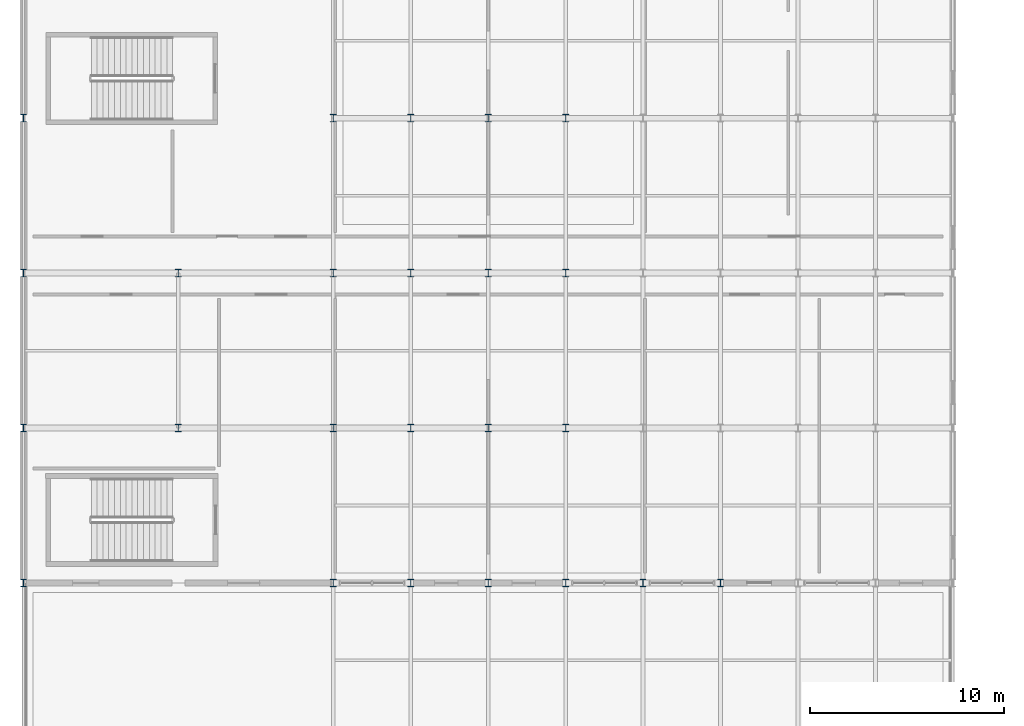
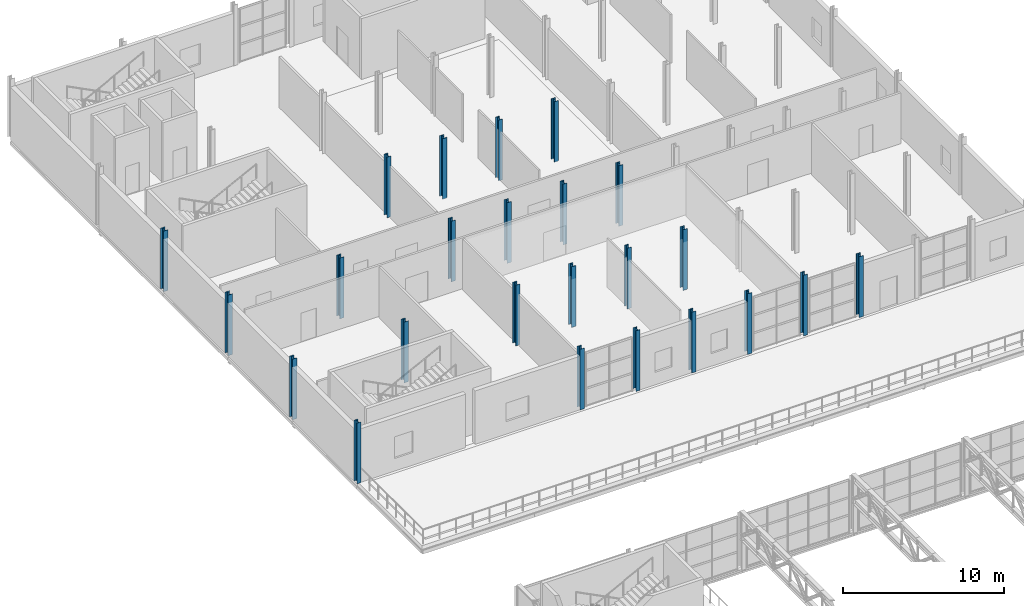
# One storey, part 6 of 67: 24 columns.
"""IFC4 building model written with IfcOpenShell, lengths in metres."""

from ifc_helpers import new_model, si_unit, derived_unit, direction, frame, origin, origin_2d, place, context, subcontext, project, spatial, i_section, extrude, material, material_profile, profile_set, type_object, element, save


model = new_model("IFC4")

# Units and contexts
model_context = context("Model", 3, precision=1e-05, world=origin(), true_north=direction((0.0, 1.0)))
body_context = subcontext(model_context, "Body", "Model", "MODEL_VIEW")
ifc_project = project(units=[si_unit("LENGTHUNIT", "METRE"), si_unit("AREAUNIT", "SQUARE_METRE"), si_unit("VOLUMEUNIT", "CUBIC_METRE"), si_unit("PLANEANGLEUNIT", "RADIAN"), si_unit("MASSUNIT", "GRAM", prefix="KILO"), derived_unit("THERMALTRANSMITTANCEUNIT", [(si_unit("POWERUNIT", "WATT"), 1), (si_unit("LENGTHUNIT", "METRE"), -2), (si_unit("THERMODYNAMICTEMPERATUREUNIT", "KELVIN"), -1)])], contexts=[model_context])

# Site, building, storey
site_placement = place(None, origin())
site = spatial("IfcSite", under=ifc_project, at=site_placement, CompositionType="ELEMENT")
building_placement = place(site_placement, origin())
building = spatial("IfcBuilding", under=site, at=building_placement, Name="Keldorne Ridge Multi-Sports Centre", CompositionType="ELEMENT")
storey_placement = place(building_placement, frame((0.0, 0.0, 14.0)))
storey = spatial("IfcBuildingStorey", under=building, at=storey_placement, Name="L03", CompositionType="ELEMENT", Elevation=14.0)

# Columns
ifc_material = material(Name="Steel S355", Category="steel")
ifc_material_profile = material_profile(ifc_material, i_section(OverallWidth=0.300048828125, OverallDepth=0.389892578125, WebThickness=0.010986328125, FlangeThickness=0.01904296875, FilletRadius=0.027099609375, at=origin_2d()), Name="HEA 400")
ifc_profile_set = profile_set([ifc_material_profile], Name="Steel S355")
column_type = type_object("IfcColumnType", Name="COL-C-15", PredefinedType="COLUMN", material=ifc_profile_set)
for number, where, z_axis, x_axis, name in (
    (1, (104.0, 74.0, 0.0), (0.0, 0.0, 1.0), (1.0, 0.0, 0.0), "Structural column V5-C-01-02 on L03"),
    (2, (104.0, 82.0, 0.0), (0.0, 0.0, 1.0), (1.0, 0.0, 0.0), "Structural column V5-C-01-03 on L03"),
    (3, (104.0, 90.0, 0.0), (0.0, 0.0, 1.0), (1.0, 0.0, 0.0), "Structural column V5-C-01-04 on L03"),
    (4, (104.0, 98.0, 0.0), (0.0, 0.0, 1.0), (1.0, 0.0, 0.0), "Structural column V5-C-01-05 on L03"),
    (5, (112.0, 82.0, 0.0), (0.0, 0.0, 1.0), (1.0, 0.0, 0.0), "Structural column V5-C-02-03 on L03"),
    (6, (112.0, 90.0, 0.0), (0.0, 0.0, 1.0), (1.0, 0.0, 0.0), "Structural column V5-C-02-04 on L03"),
    (7, (120.0, 74.0, 0.0), (0.0, 0.0, 1.0), (1.0, 0.0, 0.0), "Structural column V5-C-03-02 on L03"),
    (8, (120.0, 82.0, 0.0), (0.0, 0.0, 1.0), (1.0, 0.0, 0.0), "Structural column V5-C-03-03 on L03"),
    (9, (120.0, 90.0, 0.0), (0.0, 0.0, 1.0), (1.0, 0.0, 0.0), "Structural column V5-C-03-04 on L03"),
    (10, (120.0, 98.0, 0.0), (0.0, 0.0, 1.0), (1.0, 0.0, 0.0), "Structural column V5-C-03-05 on L03"),
    (11, (124.0, 74.0, 0.0), (0.0, 0.0, 1.0), (1.0, 0.0, 0.0), "Structural column V5-C-04-02 on L03"),
    (12, (124.0, 82.0, 0.0), (0.0, 0.0, 1.0), (1.0, 0.0, 0.0), "Structural column V5-C-04-03 on L03"),
    (13, (124.0, 90.0, 0.0), (0.0, 0.0, 1.0), (1.0, 0.0, 0.0), "Structural column V5-C-04-04 on L03"),
    (14, (124.0, 98.0, 0.0), (0.0, 0.0, 1.0), (1.0, 0.0, 0.0), "Structural column V5-C-04-05 on L03"),
    (15, (128.0, 74.0, 0.0), (0.0, 0.0, 1.0), (1.0, 0.0, 0.0), "Structural column V5-C-05-02 on L03"),
    (16, (128.0, 82.0, 0.0), (0.0, 0.0, 1.0), (1.0, 0.0, 0.0), "Structural column V5-C-05-03 on L03"),
    (17, (128.0, 90.0, 0.0), (0.0, 0.0, 1.0), (1.0, 0.0, 0.0), "Structural column V5-C-05-04 on L03"),
    (18, (128.0, 98.0, 0.0), (0.0, 0.0, 1.0), (1.0, 0.0, 0.0), "Structural column V5-C-05-05 on L03"),
    (19, (132.0, 74.0, 0.0), (0.0, 0.0, 1.0), (1.0, 0.0, 0.0), "Structural column V5-C-06-02 on L03"),
    (20, (132.0, 82.0, 0.0), (0.0, 0.0, 1.0), (1.0, 0.0, 0.0), "Structural column V5-C-06-03 on L03"),
    (21, (132.0, 90.0, 0.0), (0.0, 0.0, 1.0), (1.0, 0.0, 0.0), "Structural column V5-C-06-04 on L03"),
    (22, (132.0, 98.0, 0.0), (0.0, 0.0, 1.0), (1.0, 0.0, 0.0), "Structural column V5-C-06-05 on L03"),
    (23, (136.0, 74.0, 0.0), (0.0, 0.0, 1.0), (1.0, 0.0, 0.0), "Structural column V5-C-07-02 on L03"),
    (24, (140.0, 74.0, 0.0), (0.0, 0.0, 1.0), (1.0, 0.0, 0.0), "Structural column V5-C-08-02 on L03"),
):
    element("IfcColumn", number, at=place(storey_placement, frame(where, z_axis=z_axis, x_axis=x_axis)), inside=storey, type_object=column_type, Name=name, PredefinedType="COLUMN", context=body_context, shape_type="SweptSolid", body=[
        extrude(i_section(OverallWidth=0.300048828125, OverallDepth=0.389892578125, WebThickness=0.010986328125, FlangeThickness=0.01904296875, FilletRadius=0.027099609375, at=origin_2d()), origin(), (0.0, 0.0, 1.0), 4.60009765625),
    ])

save(model, "model.ifc")
